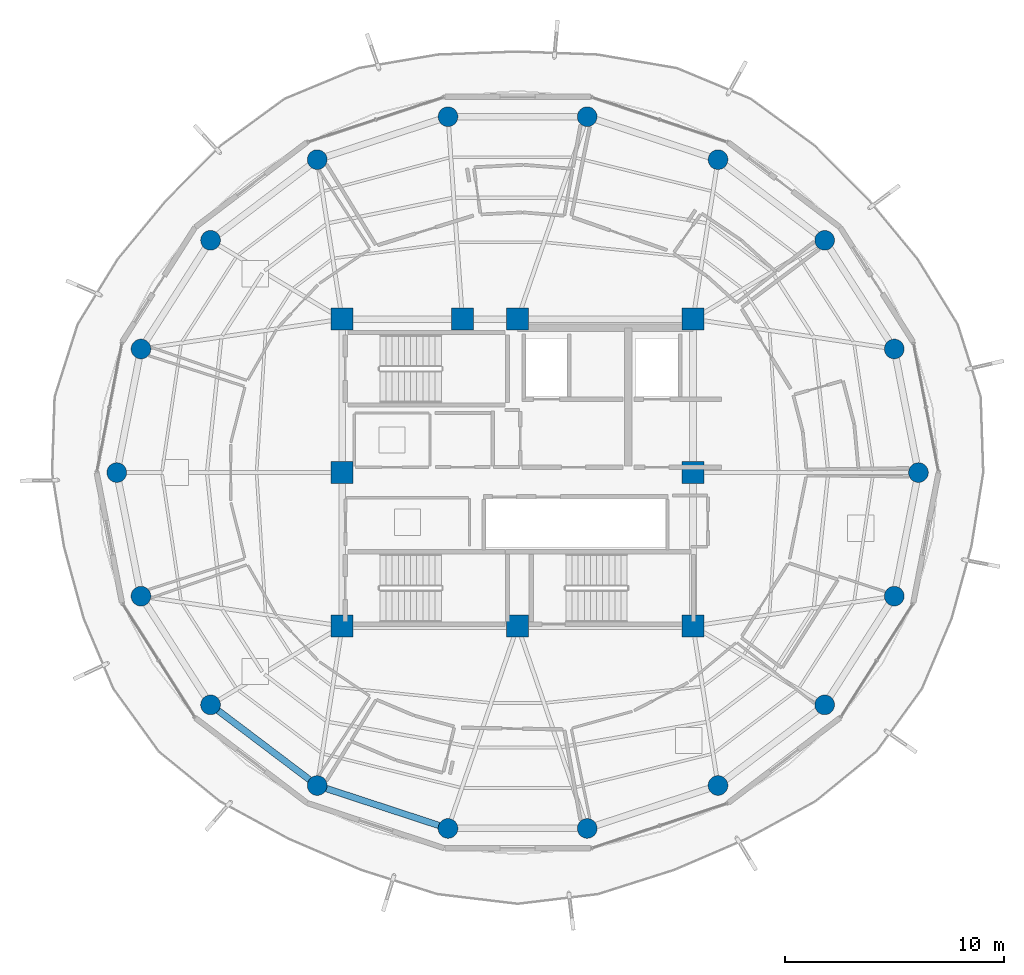
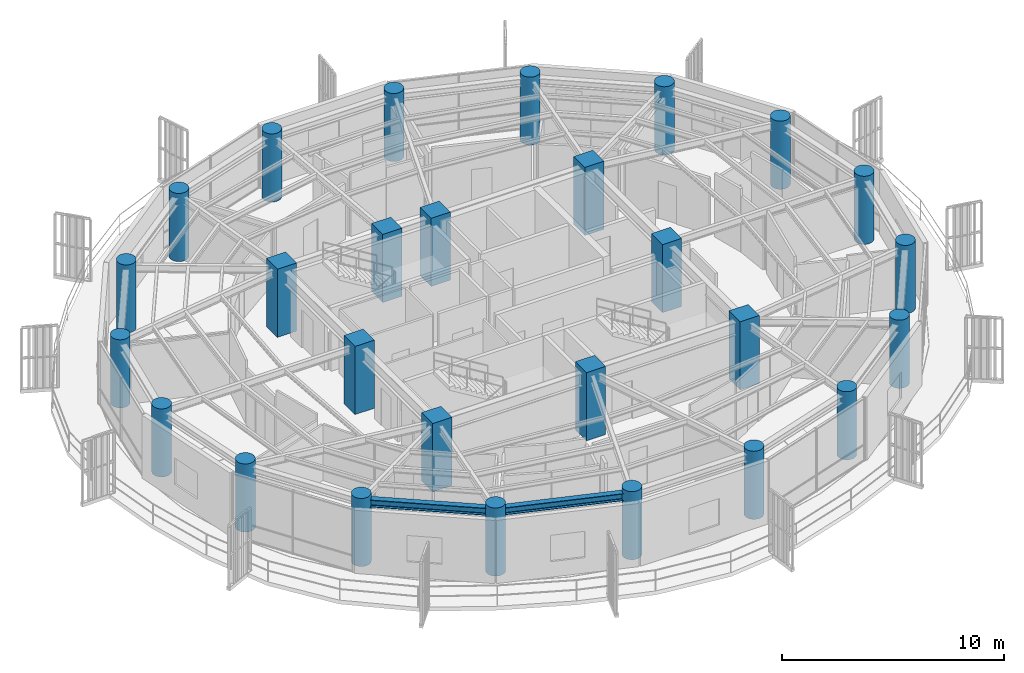
# One storey, part 1 of 23: 27 columns, 2 beams.
"""IFC4 building model written with IfcOpenShell, lengths in metres."""

from ifc_helpers import new_model, si_unit, direction, frame, origin, origin_2d, place, context, subcontext, project, spatial, rectangle, circle, i_section, extrude, material, material_profile, profile_set, type_object, element, save


model = new_model("IFC4")

# Units and contexts
model_context = context("Model", 3, precision=1e-05, world=origin(), true_north=direction((0.0, 1.0)))
body_context = subcontext(model_context, "Body", "Model", "MODEL_VIEW")
ifc_project = project(units=[si_unit("LENGTHUNIT", "METRE"), si_unit("AREAUNIT", "SQUARE_METRE"), si_unit("VOLUMEUNIT", "CUBIC_METRE"), si_unit("PLANEANGLEUNIT", "RADIAN"), si_unit("MASSUNIT", "GRAM", prefix="KILO")], contexts=[model_context])

# Site, building, storey
site_placement = place(None, origin())
site = spatial("IfcSite", under=ifc_project, at=site_placement, CompositionType="ELEMENT")
building_placement = place(site_placement, origin())
building = spatial("IfcBuilding", under=site, at=building_placement, Name="Kelanora Arch Commons", CompositionType="ELEMENT")
storey_placement = place(building_placement, frame((0.0, 0.0, 252.449951171875)))
storey = spatial("IfcBuildingStorey", under=building, at=storey_placement, Name="L64", CompositionType="ELEMENT", Elevation=252.449951171875)

# Columns
ifc_material_1 = material(Name="Concrete C50/60", Category="concrete")
ifc_material_profile_1 = material_profile(ifc_material_1, circle(Radius=0.449951171875, at=origin_2d()), Name="RCC900")
ifc_profile_set_1 = profile_set([ifc_material_profile_1], Name="Concrete C50/60")
column_type_1 = type_object("IfcColumnType", Name="COL-PERIM-Z5", PredefinedType="COLUMN", material=ifc_profile_set_1)
for number, where, z_axis, x_axis, name in (
    (1, (92.280029296875, 58.0, 0.0), (0.0, 0.0, 1.0), (1.0, 0.0, 0.0), "Perimeter Ring Column CP-00 L64"),
    (2, (91.177490234375, 63.636474609375, 0.0), (0.0, 0.0, 1.0), (1.0, 0.0, 0.0), "Perimeter Ring Column CP-02 L64"),
    (3, (88.00341796875, 68.593017578125, 0.0), (0.0, 0.0, 1.0), (1.0, 0.0, 0.0), "Perimeter Ring Column CP-04 L64"),
    (4, (83.139892578125, 72.272216796875, 0.0), (0.0, 0.0, 1.0), (1.0, 0.0, 0.0), "Perimeter Ring Column CP-06 L64"),
    (5, (77.17431640625, 74.2294921875, 0.0), (0.0, 0.0, 1.0), (1.0, 0.0, 0.0), "Perimeter Ring Column CP-08 L64"),
    (6, (70.82568359375, 74.2294921875, 0.0), (0.0, 0.0, 1.0), (1.0, 0.0, 0.0), "Perimeter Ring Column CP-10 L64"),
    (7, (64.860107421875, 72.272216796875, 0.0), (0.0, 0.0, 1.0), (1.0, 0.0, 0.0), "Perimeter Ring Column CP-12 L64"),
    (8, (59.99658203125, 68.593017578125, 0.0), (0.0, 0.0, 1.0), (1.0, 0.0, 0.0), "Perimeter Ring Column CP-14 L64"),
    (9, (56.822509765625, 63.636474609375, 0.0), (0.0, 0.0, 1.0), (1.0, 0.0, 0.0), "Perimeter Ring Column CP-16 L64"),
    (10, (55.719970703125, 58.0, 0.0), (0.0, 0.0, 1.0), (1.0, 0.0, 0.0), "Perimeter Ring Column CP-18 L64"),
    (11, (56.822509765625, 52.363525390625, 0.0), (0.0, 0.0, 1.0), (1.0, 0.0, 0.0), "Perimeter Ring Column CP-20 L64"),
    (12, (59.99658203125, 47.406982421875, 0.0), (0.0, 0.0, 1.0), (1.0, 0.0, 0.0), "Perimeter Ring Column CP-22 L64"),
    (13, (64.860107421875, 43.727783203125, 0.0), (0.0, 0.0, 1.0), (1.0, 0.0, 0.0), "Perimeter Ring Column CP-24 L64"),
    (14, (70.82568359375, 41.7705078125, 0.0), (0.0, 0.0, 1.0), (1.0, 0.0, 0.0), "Perimeter Ring Column CP-26 L64"),
    (15, (77.17431640625, 41.7705078125, 0.0), (0.0, 0.0, 1.0), (1.0, 0.0, 0.0), "Perimeter Ring Column CP-28 L64"),
    (16, (83.139892578125, 43.727783203125, 0.0), (0.0, 0.0, 1.0), (1.0, 0.0, 0.0), "Perimeter Ring Column CP-30 L64"),
    (17, (88.00341796875, 47.406982421875, 0.0), (0.0, 0.0, 1.0), (1.0, 0.0, 0.0), "Perimeter Ring Column CP-32 L64"),
    (18, (91.177490234375, 52.363525390625, 0.0), (0.0, 0.0, 1.0), (1.0, 0.0, 0.0), "Perimeter Ring Column CP-34 L64"),
):
    element("IfcColumn", number, at=place(storey_placement, frame(where, z_axis=z_axis, x_axis=x_axis)), inside=storey, type_object=column_type_1, Name=name, PredefinedType="COLUMN", context=body_context, shape_type="SweptSolid", body=[
        extrude(circle(Radius=0.449951171875, at=origin_2d()), origin(), (0.0, 0.0, 1.0), 3.75),
    ])
ifc_material_profile_2 = material_profile(ifc_material_1, rectangle(XDim=1.0, YDim=1.0, at=origin_2d()), Name="RC1000x1000")
ifc_profile_set_2 = profile_set([ifc_material_profile_2], Name="Concrete C50/60")
column_type_2 = type_object("IfcColumnType", Name="COL-PIL-HIGH", PredefinedType="PILASTER", material=ifc_profile_set_2)
for number, where, z_axis, x_axis, name in (
    (19, (66.0, 51.0, 0.0), (0.0, 0.0, 1.0), (1.0, 0.0, 0.0), "Core Pilaster Column CP1 L64"),
    (20, (74.0, 51.0, 0.0), (0.0, 0.0, 1.0), (1.0, 0.0, 0.0), "Core Pilaster Column CP2 L64"),
    (21, (82.0, 51.0, 0.0), (0.0, 0.0, 1.0), (1.0, 0.0, 0.0), "Core Pilaster Column CP3 L64"),
    (22, (82.0, 58.0, 0.0), (0.0, 0.0, 1.0), (1.0, 0.0, 0.0), "Core Pilaster Column CP4 L64"),
    (23, (82.0, 65.0, 0.0), (0.0, 0.0, 1.0), (1.0, 0.0, 0.0), "Core Pilaster Column CP5 L64"),
    (24, (74.0, 65.0, 0.0), (0.0, 0.0, 1.0), (1.0, 0.0, 0.0), "Core Pilaster Column CP6 L64"),
    (25, (71.47998046875, 65.0, 0.0), (0.0, 0.0, 1.0), (1.0, 0.0, 0.0), "Core Pilaster Column CP9 L64"),
    (26, (66.0, 65.0, 0.0), (0.0, 0.0, 1.0), (1.0, 0.0, 0.0), "Core Pilaster Column CP7 L64"),
    (27, (66.0, 58.0, 0.0), (0.0, 0.0, 1.0), (1.0, 0.0, 0.0), "Core Pilaster Column CP8 L64"),
):
    element("IfcColumn", number, at=place(storey_placement, frame(where, z_axis=z_axis, x_axis=x_axis)), inside=storey, type_object=column_type_2, Name=name, PredefinedType="PILASTER", context=body_context, shape_type="SweptSolid", body=[
        extrude(rectangle(XDim=1.0, YDim=1.0, at=origin_2d()), origin(), (0.0, 0.0, 1.0), 3.75),
    ])

# Beams
ifc_material_2 = material(Name="Steel S355", Category="steel")
ifc_material_profile_3 = material_profile(ifc_material_2, i_section(OverallWidth=0.300048828125, OverallDepth=0.39990234375, WebThickness=0.013427734375, FlangeThickness=0.02392578125, FilletRadius=0.027099609375, at=origin_2d()), Name="HEB400")
ifc_profile_set_3 = profile_set([ifc_material_profile_3], Name="Steel S355")
beam_type = type_object("IfcBeamType", Name="BM-SPN-Z4", PredefinedType="SPANDREL", material=ifc_profile_set_3)
beam_1_placement = place(storey_placement, frame((59.99658203125, 47.406982421875, 3.2900390625), z_axis=(0.797509460967, -0.603306439273, 0.0), x_axis=(0.603306439273, 0.797509460967, 0.0)))
element("IfcBeam", 28, at=beam_1_placement, inside=storey, type_object=beam_type, Name="Perimeter Spandrel Beam BS-22 L64", PredefinedType="SPANDREL", context=body_context, shape_type="SweptSolid", body=[
    extrude(i_section(OverallWidth=0.300048828125, OverallDepth=0.39990234375, WebThickness=0.013427734375, FlangeThickness=0.02392578125, FilletRadius=0.027099609375, at=origin_2d()), origin(), (0.0, 0.0, 1.0), 6.098388671875),
])
beam_2_placement = place(storey_placement, frame((64.860107421875, 43.727783203125, 3.2900390625), z_axis=(0.950165923039, -0.311744636996, 0.0), x_axis=(0.311744636996, 0.950165923039, 0.0)))
element("IfcBeam", 29, at=beam_2_placement, inside=storey, type_object=beam_type, Name="Perimeter Spandrel Beam BS-24 L64", PredefinedType="SPANDREL", context=body_context, shape_type="SweptSolid", body=[
    extrude(i_section(OverallWidth=0.300048828125, OverallDepth=0.39990234375, WebThickness=0.013427734375, FlangeThickness=0.02392578125, FilletRadius=0.027099609375, at=origin_2d()), origin(), (0.0, 0.0, 1.0), 6.278564453125),
])

save(model, "model.ifc")
